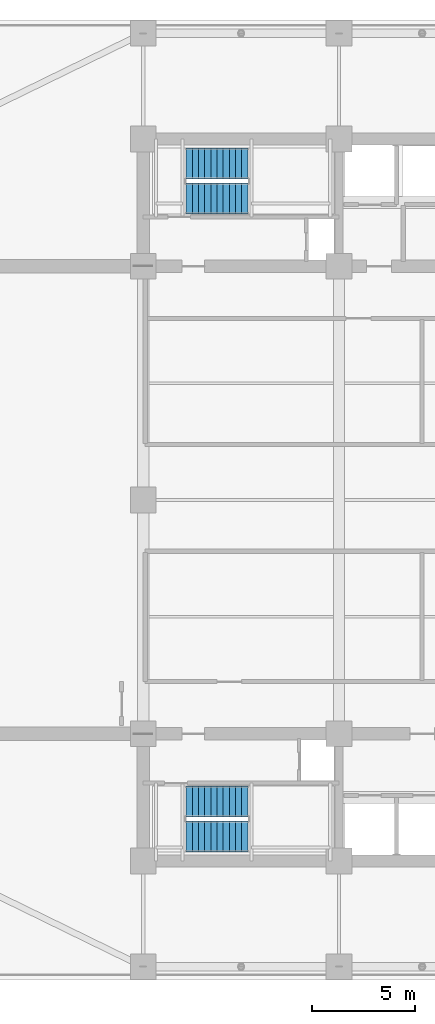
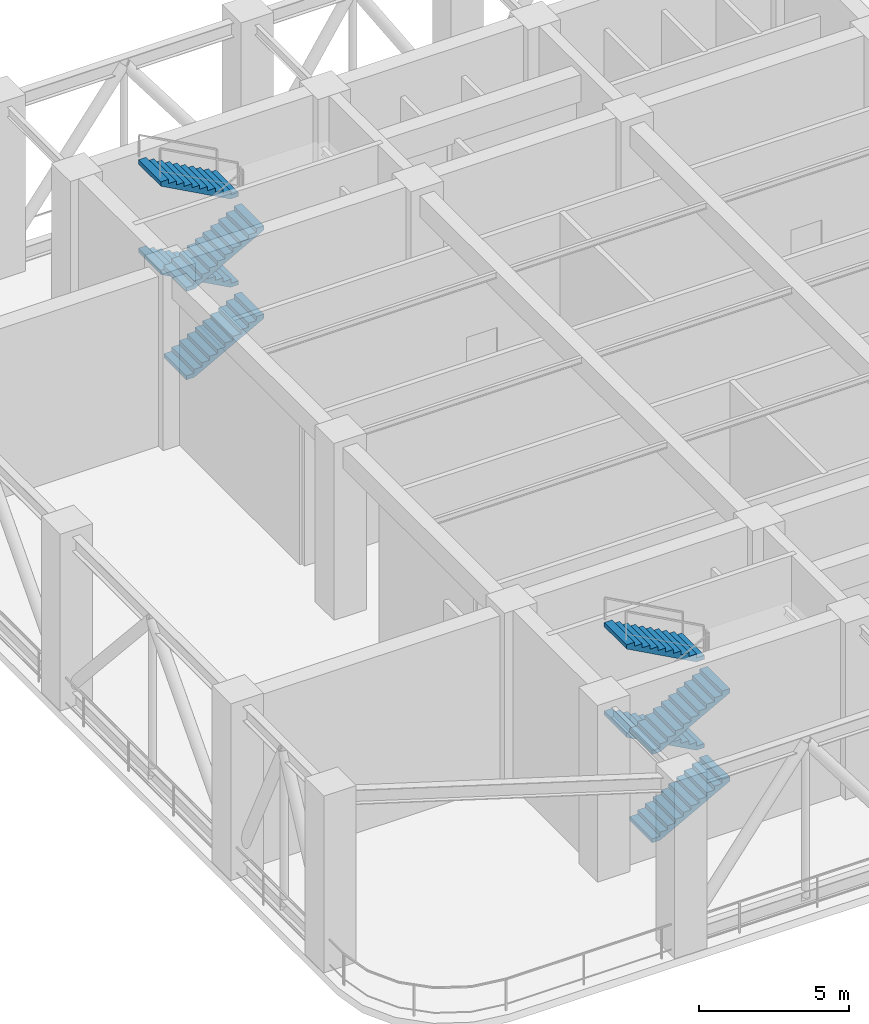
# One storey, part 12 of 20: 8 stair flights, 2 elements without a shape of their own.
"""IFC4 building model written with IfcOpenShell, lengths in metres."""

from ifc_helpers import new_model, si_unit, direction, frame, origin, place, context, subcontext, project, spatial, polyline, outline, extrude, material, type_object, element, aggregate, save


model = new_model("IFC4")

# Units and contexts
model_context = context("Model", 3, precision=1e-05, world=origin(), true_north=direction((0.0, 1.0)))
body_context = subcontext(model_context, "Body", "Model", "MODEL_VIEW")
ifc_project = project(units=[si_unit("LENGTHUNIT", "METRE"), si_unit("AREAUNIT", "SQUARE_METRE"), si_unit("VOLUMEUNIT", "CUBIC_METRE"), si_unit("PLANEANGLEUNIT", "RADIAN"), si_unit("MASSUNIT", "GRAM", prefix="KILO")], contexts=[model_context])

# Site, building, storey
site_placement = place(None, origin())
site = spatial("IfcSite", under=ifc_project, at=site_placement, CompositionType="ELEMENT")
building_placement = place(site_placement, origin())
building = spatial("IfcBuilding", under=site, at=building_placement, Name="Svetorya Sky Lyceum", CompositionType="ELEMENT")
storey_placement = place(building_placement, frame((0.0, 0.0, 76.89990234375)))
storey = spatial("IfcBuildingStorey", under=building, at=storey_placement, Name="L19", CompositionType="ELEMENT", Elevation=76.89990234375)

# Stair, stair flights
ifc_material = material(Name="Concrete C40/50", Category="concrete")
stair_type_1 = type_object("IfcStairType", Name="STR-ST-N", PredefinedType="HALF_TURN_STAIR", material=ifc_material)
stair_1_placement = place(storey_placement, origin())
stair_1 = element("IfcStair", 1, at=stair_1_placement, inside=storey, type_object=stair_type_1, Name="L19 North Core Smoke-Free Exit Stair N3", PredefinedType="HALF_TURN_STAIR")
stair_flight_type_1 = type_object("IfcStairFlightType", Name="SFL-ST-N", PredefinedType="STRAIGHT", material=ifc_material)
stair_flight_1_placement = place(storey_placement, frame((27.699951171875, 42.89990234375, 0.0), z_axis=(0.0, 0.0, 1.0), x_axis=(1.0, 0.0, 0.0)))
stair_flight_1 = element("IfcStairFlight", 2, at=stair_flight_1_placement, type_object=stair_flight_type_1, Name="ST-N flight 1", NumberOfRisers=11, NumberOfTreads=10, PredefinedType="STRAIGHT", RiserHeight=0.163636364, TreadLength=0.3, context=body_context, shape_type="SweptSolid", body=[
    extrude(outline(polyline([(0.0, 0.0), (0.0, 0.16357421875), (0.300048828125, 0.16357421875), (0.300048828125, 0.327392578125), (0.60009765625, 0.327392578125), (0.60009765625, 0.490966796875), (0.89990234375, 0.490966796875), (0.89990234375, 0.654541015625), (1.199951171875, 0.654541015625), (1.199951171875, 0.818115234375), (1.5, 0.818115234375), (1.5, 0.98193359375), (1.800048828125, 0.98193359375), (1.800048828125, 1.1455078125), (2.10009765625, 1.1455078125), (2.10009765625, 1.30908203125), (2.39990234375, 1.30908203125), (2.39990234375, 1.47265625), (2.699951171875, 1.47265625), (2.699951171875, 1.636474609375), (3.0, 1.636474609375), (3.0, 1.800048828125), (3.0, 1.465576171875), (0.31298828125, 0.0), (0.0, 0.0)])), frame((0.0, 0.75, 0.0), z_axis=(0.0, -1.0, 0.0), x_axis=(1.0, 0.0, 0.0)), (0.0, 0.0, 1.0), 1.5),
])
stair_flight_2_placement = place(storey_placement, frame((30.699951171875, 44.60009765625, 1.800048828125), z_axis=(0.0, 0.0, 1.0), x_axis=(-1.0, 0.0, 0.0)))
stair_flight_2 = element("IfcStairFlight", 3, at=stair_flight_2_placement, type_object=stair_flight_type_1, Name="ST-N flight 2", NumberOfRisers=11, NumberOfTreads=10, PredefinedType="STRAIGHT", RiserHeight=0.163636364, TreadLength=0.3, context=body_context, shape_type="SweptSolid", body=[
    extrude(outline(polyline([(0.0, 0.0), (0.0, 0.16357421875), (0.300048828125, 0.16357421875), (0.300048828125, 0.327392578125), (0.60009765625, 0.327392578125), (0.60009765625, 0.490966796875), (0.89990234375, 0.490966796875), (0.89990234375, 0.654541015625), (1.199951171875, 0.654541015625), (1.199951171875, 0.818115234375), (1.5, 0.818115234375), (1.5, 0.98193359375), (1.800048828125, 0.98193359375), (1.800048828125, 1.1455078125), (2.10009765625, 1.1455078125), (2.10009765625, 1.30908203125), (2.39990234375, 1.30908203125), (2.39990234375, 1.47265625), (2.699951171875, 1.47265625), (2.699951171875, 1.636474609375), (3.0, 1.636474609375), (3.0, 1.800048828125), (3.0, 1.465576171875), (0.31298828125, 0.0), (0.0, 0.0)])), frame((0.0, 0.75, 0.0), z_axis=(0.0, -1.0, 0.0), x_axis=(1.0, 0.0, 0.0)), (0.0, 0.0, 1.0), 1.5),
])
stair_flight_3_placement = place(storey_placement, frame((27.699951171875, 42.89990234375, 3.60009765625), z_axis=(0.0, 0.0, 1.0), x_axis=(1.0, 0.0, 0.0)))
stair_flight_3 = element("IfcStairFlight", 4, at=stair_flight_3_placement, type_object=stair_flight_type_1, Name="ST-N flight 3", NumberOfRisers=11, NumberOfTreads=10, PredefinedType="STRAIGHT", RiserHeight=0.163636364, TreadLength=0.3, context=body_context, shape_type="SweptSolid", body=[
    extrude(outline(polyline([(0.0, 0.0), (0.0, 0.16357421875), (0.300048828125, 0.16357421875), (0.300048828125, 0.327392578125), (0.60009765625, 0.327392578125), (0.60009765625, 0.490966796875), (0.89990234375, 0.490966796875), (0.89990234375, 0.654541015625), (1.199951171875, 0.654541015625), (1.199951171875, 0.818115234375), (1.5, 0.818115234375), (1.5, 0.98193359375), (1.800048828125, 0.98193359375), (1.800048828125, 1.1455078125), (2.10009765625, 1.1455078125), (2.10009765625, 1.30908203125), (2.39990234375, 1.30908203125), (2.39990234375, 1.47265625), (2.699951171875, 1.47265625), (2.699951171875, 1.636474609375), (3.0, 1.636474609375), (3.0, 1.800048828125), (3.0, 1.465576171875), (0.31298828125, 0.0), (0.0, 0.0)])), frame((0.0, 0.75, 0.0), z_axis=(0.0, -1.0, 0.0), x_axis=(1.0, 0.0, 0.0)), (0.0, 0.0, 1.0), 1.5),
])
stair_flight_4_placement = place(storey_placement, frame((30.699951171875, 44.60009765625, 5.400146484375), z_axis=(0.0, 0.0, 1.0), x_axis=(-1.0, 0.0, 0.0)))
stair_flight_4 = element("IfcStairFlight", 5, at=stair_flight_4_placement, type_object=stair_flight_type_1, Name="ST-N flight 4", NumberOfRisers=11, NumberOfTreads=10, PredefinedType="STRAIGHT", RiserHeight=0.163636364, TreadLength=0.3, context=body_context, shape_type="SweptSolid", body=[
    extrude(outline(polyline([(0.0, 0.0), (0.0, 0.16357421875), (0.300048828125, 0.16357421875), (0.300048828125, 0.327392578125), (0.60009765625, 0.327392578125), (0.60009765625, 0.490966796875), (0.89990234375, 0.490966796875), (0.89990234375, 0.654541015625), (1.199951171875, 0.654541015625), (1.199951171875, 0.818115234375), (1.5, 0.818115234375), (1.5, 0.98193359375), (1.800048828125, 0.98193359375), (1.800048828125, 1.1455078125), (2.10009765625, 1.1455078125), (2.10009765625, 1.30908203125), (2.39990234375, 1.30908203125), (2.39990234375, 1.47265625), (2.699951171875, 1.47265625), (2.699951171875, 1.636474609375), (3.0, 1.636474609375), (3.0, 1.800048828125), (3.0, 1.465576171875), (0.31298828125, 0.0), (0.0, 0.0)])), frame((0.0, 0.75, 0.0), z_axis=(0.0, -1.0, 0.0), x_axis=(1.0, 0.0, 0.0)), (0.0, 0.0, 1.0), 1.5),
])
aggregate(stair_1, [stair_flight_1, stair_flight_2, stair_flight_3, stair_flight_4])

stair_type_2 = type_object("IfcStairType", Name="STR-ST-S", PredefinedType="HALF_TURN_STAIR", material=ifc_material)
stair_2_placement = place(storey_placement, origin())
stair_2 = element("IfcStair", 6, at=stair_2_placement, inside=storey, type_object=stair_type_2, Name="L19 South Core Smoke-Free Exit Stair N2", PredefinedType="HALF_TURN_STAIR")
stair_flight_type_2 = type_object("IfcStairFlightType", Name="SFL-ST-S", PredefinedType="STRAIGHT", material=ifc_material)
stair_flight_5_placement = place(storey_placement, frame((27.699951171875, 11.800048828125, 0.0), z_axis=(0.0, 0.0, 1.0), x_axis=(1.0, 0.0, 0.0)))
stair_flight_5 = element("IfcStairFlight", 7, at=stair_flight_5_placement, type_object=stair_flight_type_2, Name="ST-S flight 1", NumberOfRisers=11, NumberOfTreads=10, PredefinedType="STRAIGHT", RiserHeight=0.163636364, TreadLength=0.3, context=body_context, shape_type="SweptSolid", body=[
    extrude(outline(polyline([(0.0, 0.0), (0.0, 0.16357421875), (0.300048828125, 0.16357421875), (0.300048828125, 0.327392578125), (0.60009765625, 0.327392578125), (0.60009765625, 0.490966796875), (0.89990234375, 0.490966796875), (0.89990234375, 0.654541015625), (1.199951171875, 0.654541015625), (1.199951171875, 0.818115234375), (1.5, 0.818115234375), (1.5, 0.98193359375), (1.800048828125, 0.98193359375), (1.800048828125, 1.1455078125), (2.10009765625, 1.1455078125), (2.10009765625, 1.30908203125), (2.39990234375, 1.30908203125), (2.39990234375, 1.47265625), (2.699951171875, 1.47265625), (2.699951171875, 1.636474609375), (3.0, 1.636474609375), (3.0, 1.800048828125), (3.0, 1.465576171875), (0.31298828125, 0.0), (0.0, 0.0)])), frame((0.0, 0.75, 0.0), z_axis=(0.0, -1.0, 0.0), x_axis=(1.0, 0.0, 0.0)), (0.0, 0.0, 1.0), 1.5),
])
stair_flight_6_placement = place(storey_placement, frame((30.699951171875, 13.5, 1.800048828125), z_axis=(0.0, 0.0, 1.0), x_axis=(-1.0, 0.0, 0.0)))
stair_flight_6 = element("IfcStairFlight", 8, at=stair_flight_6_placement, type_object=stair_flight_type_2, Name="ST-S flight 2", NumberOfRisers=11, NumberOfTreads=10, PredefinedType="STRAIGHT", RiserHeight=0.163636364, TreadLength=0.3, context=body_context, shape_type="SweptSolid", body=[
    extrude(outline(polyline([(0.0, 0.0), (0.0, 0.16357421875), (0.300048828125, 0.16357421875), (0.300048828125, 0.327392578125), (0.60009765625, 0.327392578125), (0.60009765625, 0.490966796875), (0.89990234375, 0.490966796875), (0.89990234375, 0.654541015625), (1.199951171875, 0.654541015625), (1.199951171875, 0.818115234375), (1.5, 0.818115234375), (1.5, 0.98193359375), (1.800048828125, 0.98193359375), (1.800048828125, 1.1455078125), (2.10009765625, 1.1455078125), (2.10009765625, 1.30908203125), (2.39990234375, 1.30908203125), (2.39990234375, 1.47265625), (2.699951171875, 1.47265625), (2.699951171875, 1.636474609375), (3.0, 1.636474609375), (3.0, 1.800048828125), (3.0, 1.465576171875), (0.31298828125, 0.0), (0.0, 0.0)])), frame((0.0, 0.75, 0.0), z_axis=(0.0, -1.0, 0.0), x_axis=(1.0, 0.0, 0.0)), (0.0, 0.0, 1.0), 1.5),
])
stair_flight_7_placement = place(storey_placement, frame((27.699951171875, 11.800048828125, 3.60009765625), z_axis=(0.0, 0.0, 1.0), x_axis=(1.0, 0.0, 0.0)))
stair_flight_7 = element("IfcStairFlight", 9, at=stair_flight_7_placement, type_object=stair_flight_type_2, Name="ST-S flight 3", NumberOfRisers=11, NumberOfTreads=10, PredefinedType="STRAIGHT", RiserHeight=0.163636364, TreadLength=0.3, context=body_context, shape_type="SweptSolid", body=[
    extrude(outline(polyline([(0.0, 0.0), (0.0, 0.16357421875), (0.300048828125, 0.16357421875), (0.300048828125, 0.327392578125), (0.60009765625, 0.327392578125), (0.60009765625, 0.490966796875), (0.89990234375, 0.490966796875), (0.89990234375, 0.654541015625), (1.199951171875, 0.654541015625), (1.199951171875, 0.818115234375), (1.5, 0.818115234375), (1.5, 0.98193359375), (1.800048828125, 0.98193359375), (1.800048828125, 1.1455078125), (2.10009765625, 1.1455078125), (2.10009765625, 1.30908203125), (2.39990234375, 1.30908203125), (2.39990234375, 1.47265625), (2.699951171875, 1.47265625), (2.699951171875, 1.636474609375), (3.0, 1.636474609375), (3.0, 1.800048828125), (3.0, 1.465576171875), (0.31298828125, 0.0), (0.0, 0.0)])), frame((0.0, 0.75, 0.0), z_axis=(0.0, -1.0, 0.0), x_axis=(1.0, 0.0, 0.0)), (0.0, 0.0, 1.0), 1.5),
])
stair_flight_8_placement = place(storey_placement, frame((30.699951171875, 13.5, 5.400146484375), z_axis=(0.0, 0.0, 1.0), x_axis=(-1.0, 0.0, 0.0)))
stair_flight_8 = element("IfcStairFlight", 10, at=stair_flight_8_placement, type_object=stair_flight_type_2, Name="ST-S flight 4", NumberOfRisers=11, NumberOfTreads=10, PredefinedType="STRAIGHT", RiserHeight=0.163636364, TreadLength=0.3, context=body_context, shape_type="SweptSolid", body=[
    extrude(outline(polyline([(0.0, 0.0), (0.0, 0.16357421875), (0.300048828125, 0.16357421875), (0.300048828125, 0.327392578125), (0.60009765625, 0.327392578125), (0.60009765625, 0.490966796875), (0.89990234375, 0.490966796875), (0.89990234375, 0.654541015625), (1.199951171875, 0.654541015625), (1.199951171875, 0.818115234375), (1.5, 0.818115234375), (1.5, 0.98193359375), (1.800048828125, 0.98193359375), (1.800048828125, 1.1455078125), (2.10009765625, 1.1455078125), (2.10009765625, 1.30908203125), (2.39990234375, 1.30908203125), (2.39990234375, 1.47265625), (2.699951171875, 1.47265625), (2.699951171875, 1.636474609375), (3.0, 1.636474609375), (3.0, 1.800048828125), (3.0, 1.465576171875), (0.31298828125, 0.0), (0.0, 0.0)])), frame((0.0, 0.75, 0.0), z_axis=(0.0, -1.0, 0.0), x_axis=(1.0, 0.0, 0.0)), (0.0, 0.0, 1.0), 1.5),
])
aggregate(stair_2, [stair_flight_5, stair_flight_6, stair_flight_7, stair_flight_8])

save(model, "model.ifc")
